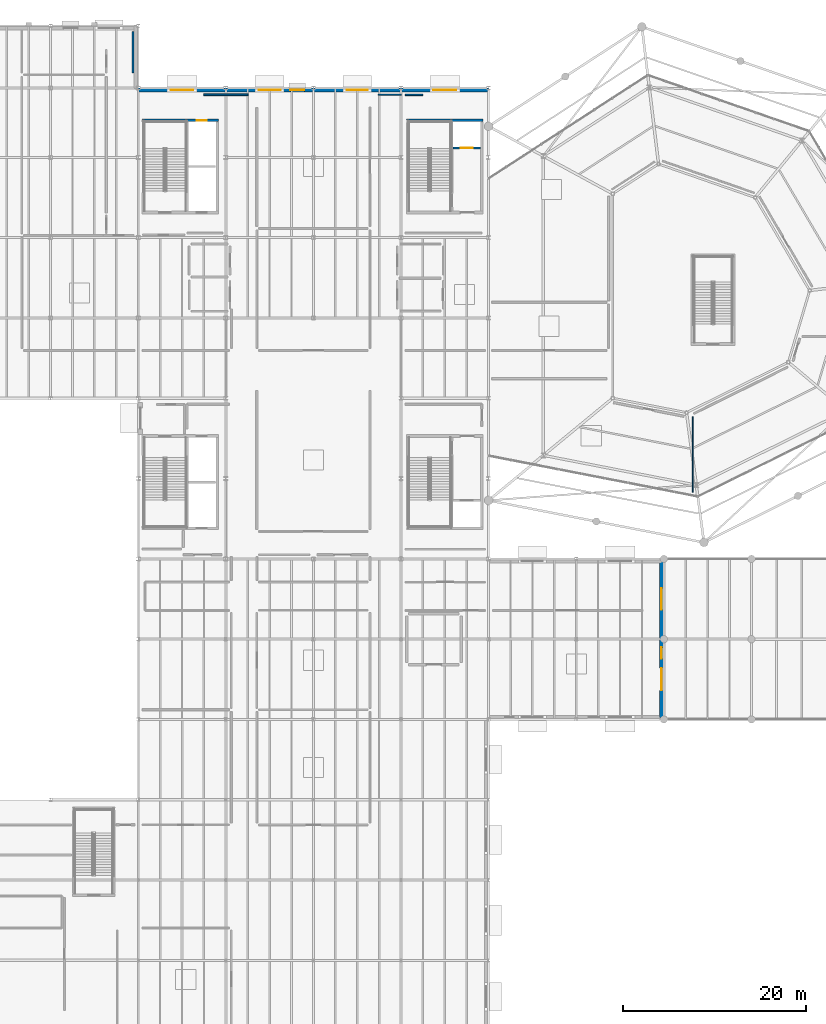
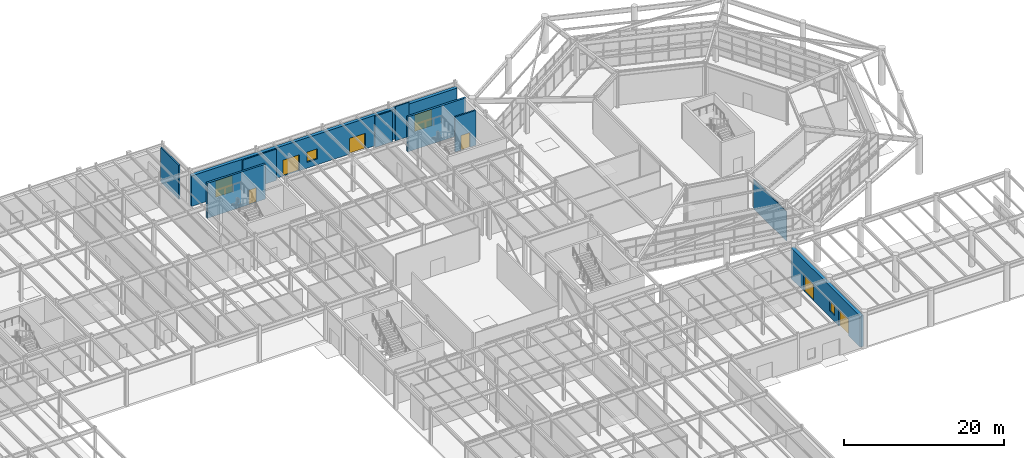
# One storey, part 52 of 70: 10 walls, 8 doors, 2 windows, 10 openings.
"""IFC4 building model written with IfcOpenShell, lengths in metres."""

from ifc_helpers import new_model, si_unit, direction, frame, frame_2d, origin, place, context, subcontext, project, spatial, rectangle, extrude, material, layer, layer_set, type_object, element, fill, save


model = new_model("IFC4")

# Units and contexts
model_context = context("Model", 3, precision=1e-05, world=origin(), true_north=direction((0.0, 1.0)))
body_context = subcontext(model_context, "Body", "Model", "MODEL_VIEW")
ifc_project = project(units=[si_unit("LENGTHUNIT", "METRE"), si_unit("AREAUNIT", "SQUARE_METRE"), si_unit("VOLUMEUNIT", "CUBIC_METRE"), si_unit("PLANEANGLEUNIT", "RADIAN"), si_unit("MASSUNIT", "GRAM", prefix="KILO")], contexts=[model_context])

# Site, building, storey
site_placement = place(None, origin())
site = spatial("IfcSite", under=ifc_project, at=site_placement, CompositionType="ELEMENT")
building_placement = place(site_placement, origin())
building = spatial("IfcBuilding", under=site, at=building_placement, Name="Sarnbrook Museum", CompositionType="ELEMENT")
storey_placement = place(building_placement, origin())
storey = spatial("IfcBuildingStorey", under=building, at=storey_placement, Name="L00", CompositionType="ELEMENT", Elevation=0.0)

# Wall
ifc_material_1 = material(Name="Concrete N50 (AS 3600, f'c = 50 MPa)", Category="concrete")
ifc_layer_1 = layer(ifc_material_1, 0.300048828125)
ifc_layer_set_1 = layer_set([ifc_layer_1], Name="Concrete N50 (AS 3600, f'c = 50 MPa)")
wall_type_1 = type_object("IfcWallType", Name="CoreWall_CWRC", PredefinedType="SHEAR", material=ifc_layer_set_1)
wall_1_placement = place(storey_placement, frame((118.60009765625, 104.85009765625, 0.0), z_axis=(0.0, 0.0, 1.0), x_axis=(-1.0, 0.0, 0.0)))
element("IfcWall", 1, at=wall_1_placement, inside=storey, type_object=wall_type_1, Name="Core C2 Shear Wall N L00", PredefinedType="SHEAR", context=body_context, shape_type="SweptSolid", body=[
    extrude(rectangle(XDim=8.400146484375, YDim=0.300048828125, at=frame_2d((4.2001953125, 0.0))), origin(), (0.0, 0.0, 1.0), 5.344970703125),
])

# Wall, opening, door
wall_2_placement = place(storey_placement, frame((89.60009765625, 104.85009765625, 0.0), z_axis=(0.0, 0.0, 1.0), x_axis=(-1.0, 0.0, 0.0)))
wall_2 = element("IfcWall", 2, at=wall_2_placement, inside=storey, type_object=wall_type_1, Name="Core C4 Shear Wall N L00", PredefinedType="SHEAR", context=body_context, shape_type="SweptSolid", body=[
    extrude(rectangle(XDim=8.400146484375, YDim=0.300048828125, at=frame_2d((4.2001953125, 0.0))), origin(), (0.0, 0.0, 1.0), 5.344970703125),
])
opening_1_placement = place(wall_2_placement, frame((1.300048828125, 0.0, 0.0)))
opening_1 = element("IfcOpeningElement", 3, at=opening_1_placement, cuts=wall_2, Name="Opening LD-PL4-L00", PredefinedType="OPENING", context=body_context, shape_type="SweptSolid", body=[
    extrude(rectangle(XDim=1.10009765625, YDim=2.199951171875, at=frame_2d((0.550048828125, 1.10009765625))), frame((0.0, 0.16015625, 0.0), z_axis=(0.0, -1.0, 0.0), x_axis=(1.0, 0.0, 0.0)), (0.0, 0.0, 1.0), 0.320068359375),
])
ifc_material_2 = material(Name="Brushed Stainless Steel Grade 316", Category="steel")
door_type_1 = type_object("IfcDoorType", Name="LiftDoor_Pax110", OperationType="DOUBLE_DOOR_SLIDING", PredefinedType="DOOR", material=ifc_material_2)
door_1_placement = place(opening_1_placement, origin())
door_1 = element("IfcDoor", 4, at=door_1_placement, inside=storey, type_object=door_type_1, Name="Lift Landing Sliding Door LD-PL4-L00", OperationType="DOUBLE_DOOR_SLIDING", OverallHeight=2.199951171875, OverallWidth=1.10009765625, PredefinedType="DOOR", context=body_context, shape_type="SweptSolid", body=[
    extrude(rectangle(XDim=1.10009765625, YDim=2.199951171875, at=frame_2d((0.550048828125, 1.10009765625))), frame((0.0, 0.02490234375, 0.0), z_axis=(0.0, -1.0, 0.0), x_axis=(1.0, 0.0, 0.0)), (0.0, 0.0, 1.0), 0.050048828125),
])
fill(opening_1, door_1)

# Walls
ifc_material_3 = material(Name="Fire-Rated Acoustic Gypsum Plasterboard")
ifc_layer_2 = layer(ifc_material_3, 0.1201171875)
ifc_layer_set_2 = layer_set([ifc_layer_2], Name="Fire-Rated Acoustic Gypsum Plasterboard")
wall_type_2 = type_object("IfcWallType", Name="PartWall_P120", PredefinedType="PARTITIONING", material=ifc_layer_set_2)
wall_3_placement = place(storey_placement, frame((141.562744140625, 72.364013671875, 0.0), z_axis=(0.0, 0.0, 1.0), x_axis=(0.0, -1.0, 0.0)))
element("IfcWall", 5, at=wall_3_placement, inside=storey, type_object=wall_type_2, Name="Interior Partition Wall L00-0279", PredefinedType="PARTITIONING", context=body_context, shape_type="SweptSolid", body=[
    extrude(rectangle(XDim=8.24658203125, YDim=0.1201171875, at=frame_2d((4.123291015625, 0.0))), origin(), (0.0, 0.0, 1.0), 4.510009765625),
])
ifc_layer_3 = layer(ifc_material_3, 0.135009765625)
ifc_layer_set_3 = layer_set([ifc_layer_3], Name="Fire-Rated Acoustic Gypsum Plasterboard")
wall_type_3 = type_object("IfcWallType", Name="PartWall_P135", PredefinedType="PARTITIONING", material=ifc_layer_set_3)
wall_4_placement = place(storey_placement, frame((109.6298828125, 107.64990234375, 0.0), z_axis=(0.0, 0.0, 1.0), x_axis=(-1.0, 0.0, 0.0)))
element("IfcWall", 6, at=wall_4_placement, inside=storey, type_object=wall_type_3, Name="Interior Partition Wall L00-0208", PredefinedType="PARTITIONING", context=body_context, shape_type="SweptSolid", body=[
    extrude(rectangle(XDim=2.533203125, YDim=0.135009765625, at=frame_2d((1.2666015625, 0.0))), origin(), (0.0, 0.0, 1.0), 4.787109375),
])
ifc_layer_4 = layer(ifc_material_3, 0.14990234375)
ifc_layer_set_4 = layer_set([ifc_layer_4], Name="Fire-Rated Acoustic Gypsum Plasterboard")
wall_type_4 = type_object("IfcWallType", Name="PartWall_P150", PredefinedType="PARTITIONING", material=ifc_layer_set_4)
wall_5_placement = place(storey_placement, frame((112.00341796875, 107.64990234375, 0.0), z_axis=(0.0, 0.0, 1.0), x_axis=(-1.0, 0.0, 0.0)))
element("IfcWall", 7, at=wall_5_placement, inside=storey, type_object=wall_type_4, Name="Interior Partition Wall L00-0235", PredefinedType="PARTITIONING", context=body_context, shape_type="SweptSolid", body=[
    extrude(rectangle(XDim=1.953369140625, YDim=0.14990234375, at=frame_2d((0.9765625, 0.0))), origin(), (0.0, 0.0, 1.0), 5.22998046875),
])
ifc_layer_5 = layer(ifc_material_3, 0.195068359375)
ifc_layer_set_5 = layer_set([ifc_layer_5], Name="Fire-Rated Acoustic Gypsum Plasterboard")
wall_type_5 = type_object("IfcWallType", Name="PartWall_P195", PredefinedType="PARTITIONING", material=ifc_layer_set_5)
wall_6_placement = place(storey_placement, frame((80.239990234375, 110.050048828125, 0.0), z_axis=(0.0, 0.0, 1.0), x_axis=(0.0, 1.0, 0.0)))
element("IfcWall", 8, at=wall_6_placement, inside=storey, type_object=wall_type_5, Name="Interior Partition Wall L00-0155", PredefinedType="PARTITIONING", context=body_context, shape_type="SweptSolid", body=[
    extrude(rectangle(XDim=4.530029296875, YDim=0.195068359375, at=frame_2d((2.26513671875, 0.0))), origin(), (0.0, 0.0, 1.0), 5.22998046875),
])
wall_7_placement = place(storey_placement, frame((92.853515625, 107.64990234375, 0.0), z_axis=(0.0, 0.0, 1.0), x_axis=(-1.0, 0.0, 0.0)))
element("IfcWall", 9, at=wall_7_placement, inside=storey, type_object=wall_type_5, Name="Interior Partition Wall L00-0211", PredefinedType="PARTITIONING", context=body_context, shape_type="SweptSolid", body=[
    extrude(rectangle(XDim=4.8818359375, YDim=0.195068359375, at=frame_2d((2.44091796875, 0.0))), origin(), (0.0, 0.0, 1.0), 4.787109375),
])

# Wall, opening, door
ifc_material_4 = material(Name="Concrete N40 (AS 3600, f'c = 40 MPa)", Category="concrete")
ifc_layer_6 = layer(ifc_material_4, 0.239990234375)
ifc_layer_set_6 = layer_set([ifc_layer_6], Name="Concrete N40 (AS 3600, f'c = 40 MPa)")
wall_type_6 = type_object("IfcWallType", Name="ShaftWall_SWRC", PredefinedType="SOLIDWALL", material=ifc_layer_set_6)
wall_8_placement = place(storey_placement, frame((115.320068359375, 101.820068359375, 0.0), z_axis=(0.0, 0.0, 1.0), x_axis=(1.0, 0.0, 0.0)))
wall_8 = element("IfcWall", 10, at=wall_8_placement, inside=storey, type_object=wall_type_6, Name="Lift EL2 Shaft Front Wall L00", PredefinedType="SOLIDWALL", context=body_context, shape_type="SweptSolid", body=[
    extrude(rectangle(XDim=2.969970703125, YDim=0.239990234375, at=frame_2d((1.48486328125, 0.0))), origin(), (0.0, 0.0, 1.0), 5.344970703125),
])
opening_2_placement = place(wall_8_placement, frame((0.8349609375, 0.0, 0.0)))
opening_2 = element("IfcOpeningElement", 11, at=opening_2_placement, cuts=wall_8, Name="Opening LD-EL2-L00", PredefinedType="OPENING", context=body_context, shape_type="SweptSolid", body=[
    extrude(rectangle(XDim=1.300048828125, YDim=2.25, at=frame_2d((0.64990234375, 1.125))), frame((0.0, 0.1298828125, 0.0), z_axis=(0.0, -1.0, 0.0), x_axis=(1.0, 0.0, 0.0)), (0.0, 0.0, 1.0), 0.260009765625),
])
door_type_2 = type_object("IfcDoorType", Name="LiftDoor_FF130", OperationType="DOUBLE_DOOR_SLIDING", PredefinedType="DOOR", material=ifc_material_2)
door_2_placement = place(opening_2_placement, origin())
door_2 = element("IfcDoor", 12, at=door_2_placement, inside=storey, type_object=door_type_2, Name="Lift Landing Sliding Door LD-EL2-L00", OperationType="DOUBLE_DOOR_SLIDING", OverallHeight=2.25, OverallWidth=1.300048828125, PredefinedType="DOOR", context=body_context, shape_type="SweptSolid", body=[
    extrude(rectangle(XDim=1.300048828125, YDim=2.25, at=frame_2d((0.64990234375, 1.125))), frame((0.0, 0.02490234375, 0.0), z_axis=(0.0, -1.0, 0.0), x_axis=(1.0, 0.0, 0.0)), (0.0, 0.0, 1.0), 0.050048828125),
])
fill(opening_2, door_2)

# Wall, openings, doors, window
ifc_material_5 = material(Name="Barrabool Sandstone Ashlar Cladding", Category="masonry")
ifc_layer_7 = layer(ifc_material_5, 0.4599609375)
ifc_layer_set_7 = layer_set([ifc_layer_7], Name="Barrabool Sandstone Ashlar Cladding")
wall_type_7 = type_object("IfcWallType", Name="Wall_SandstoneExt460", PredefinedType="SOLIDWALL", material=ifc_layer_set_7)
wall_9_placement = place(storey_placement, frame((138.169921875, 39.43603515625, 0.0), z_axis=(0.0, 0.0, 1.0), x_axis=(0.0, 1.0, 0.0)))
wall_9 = element("IfcWall", 13, at=wall_9_placement, inside=storey, type_object=wall_type_7, Name="Classical Sandstone Facade Wall L00-04", PredefinedType="SOLIDWALL", context=body_context, shape_type="SweptSolid", body=[
    extrude(rectangle(XDim=17.364013671875, YDim=0.4599609375, at=frame_2d((8.68212890625, 0.0))), origin(), (0.0, 0.0, 1.0), 4.722900390625),
])
opening_3_placement = place(wall_9_placement, frame((2.93896484375, 0.0, 0.0)))
opening_3 = element("IfcOpeningElement", 14, at=opening_3_placement, cuts=wall_9, Name="Opening ED13", PredefinedType="OPENING", context=body_context, shape_type="SweptSolid", body=[
    extrude(rectangle(XDim=2.449951171875, YDim=2.5, at=frame_2d((1.22509765625, 1.25))), frame((0.0, 0.239990234375, 0.0), z_axis=(0.0, -1.0, 0.0), x_axis=(1.0, 0.0, 0.0)), (0.0, 0.0, 1.0), 0.47998046875),
])
opening_4_placement = place(wall_9_placement, frame((11.763916015625, 0.0, 0.0)))
opening_4 = element("IfcOpeningElement", 15, at=opening_4_placement, cuts=wall_9, Name="Opening ED14", PredefinedType="OPENING", context=body_context, shape_type="SweptSolid", body=[
    extrude(rectangle(XDim=2.39990234375, YDim=2.449951171875, at=frame_2d((1.199951171875, 1.22509765625))), frame((0.0, 0.239990234375, 0.0), z_axis=(0.0, -1.0, 0.0), x_axis=(1.0, 0.0, 0.0)), (0.0, 0.0, 1.0), 0.47998046875),
])
opening_5_placement = place(wall_9_placement, frame((6.39990234375, 0.0, 0.89990234375)))
opening_5 = element("IfcOpeningElement", 16, at=opening_5_placement, cuts=wall_9, Name="Opening WT-03", PredefinedType="OPENING", context=body_context, shape_type="SweptSolid", body=[
    extrude(rectangle(XDim=1.25, YDim=1.550048828125, at=frame_2d((0.625, 0.77490234375))), frame((0.0, 0.239990234375, 0.0), z_axis=(0.0, -1.0, 0.0), x_axis=(1.0, 0.0, 0.0)), (0.0, 0.0, 1.0), 0.47998046875),
])
ifc_material_6 = material(Name="Thermally Broken Anodised Aluminium 6063-T6", Category="aluminium")
door_type_3 = type_object("IfcDoorType", Name="DoorType_EDT1", OperationType="DOUBLE_DOOR_SINGLE_SWING", PredefinedType="DOOR", material=ifc_material_6)
door_3_placement = place(opening_3_placement, frame((2.449951171875, 0.0, 0.0), z_axis=(0.0, 0.0, 1.0), x_axis=(-1.0, 0.0, 0.0)))
door_3 = element("IfcDoor", 17, at=door_3_placement, inside=storey, type_object=door_type_3, Name="East Portico Pedestrian Exit Door ED13", OperationType="DOUBLE_DOOR_SINGLE_SWING", OverallHeight=2.5, OverallWidth=2.449951171875, PredefinedType="DOOR", context=body_context, shape_type="SweptSolid", body=[
    extrude(rectangle(XDim=2.449951171875, YDim=2.5, at=frame_2d((1.22509765625, 1.25))), frame((0.0, 0.02490234375, 0.0), z_axis=(0.0, -1.0, 0.0), x_axis=(1.0, 0.0, 0.0)), (0.0, 0.0, 1.0), 0.050048828125),
])
fill(opening_3, door_3)
door_type_4 = type_object("IfcDoorType", Name="DoorType_EDT2", OperationType="DOUBLE_DOOR_SINGLE_SWING", PredefinedType="DOOR", material=ifc_material_6)
door_4_placement = place(opening_4_placement, frame((2.39990234375, 0.0, 0.0), z_axis=(0.0, 0.0, 1.0), x_axis=(-1.0, 0.0, 0.0)))
door_4 = element("IfcDoor", 18, at=door_4_placement, inside=storey, type_object=door_type_4, Name="East Portico Pedestrian Exit Door ED14", OperationType="DOUBLE_DOOR_SINGLE_SWING", OverallHeight=2.449951171875, OverallWidth=2.39990234375, PredefinedType="DOOR", context=body_context, shape_type="SweptSolid", body=[
    extrude(rectangle(XDim=2.39990234375, YDim=2.449951171875, at=frame_2d((1.199951171875, 1.22509765625))), frame((0.0, 0.02490234375, 0.0), z_axis=(0.0, -1.0, 0.0), x_axis=(1.0, 0.0, 0.0)), (0.0, 0.0, 1.0), 0.050048828125),
])
fill(opening_4, door_4)
ifc_material_7 = material(Name="Double-Glazed Low-Iron Laminated Safety Glass", Category="glass")
window_type_1 = type_object("IfcWindowType", Name="Window_Classical_WT03", PartitioningType="SINGLE_PANEL", PredefinedType="WINDOW", material=ifc_material_7)
window_1_placement = place(opening_5_placement, origin())
window_1 = element("IfcWindow", 19, at=window_1_placement, inside=storey, type_object=window_type_1, Name="Classical Bronze Casement Window WIN:L00:0003", OverallHeight=1.550048828125, OverallWidth=1.25, PartitioningType="SINGLE_PANEL", PredefinedType="WINDOW", context=body_context, shape_type="SweptSolid", body=[
    extrude(rectangle(XDim=1.25, YDim=1.550048828125, at=frame_2d((0.625, 0.77490234375))), frame((0.0, 0.030029296875, 0.0), z_axis=(0.0, -1.0, 0.0), x_axis=(1.0, 0.0, 0.0)), (0.0, 0.0, 1.0), 0.06005859375),
])
fill(opening_5, window_1)

wall_10_placement = place(storey_placement, frame((119.199951171875, 108.169921875, 0.0), z_axis=(0.0, 0.0, 1.0), x_axis=(-1.0, 0.0, 0.0)))
wall_10 = element("IfcWall", 20, at=wall_10_placement, inside=storey, type_object=wall_type_7, Name="Classical Sandstone Facade Wall L00-06", PredefinedType="SOLIDWALL", context=body_context, shape_type="SweptSolid", body=[
    extrude(rectangle(XDim=38.39990234375, YDim=0.4599609375, at=frame_2d((19.199951171875, 0.0))), origin(), (0.0, 0.0, 1.0), 4.653076171875),
])
opening_6_placement = place(wall_10_placement, frame((32.375, 0.0, 0.0)))
opening_6 = element("IfcOpeningElement", 21, at=opening_6_placement, cuts=wall_10, Name="Opening ED17", PredefinedType="OPENING", context=body_context, shape_type="SweptSolid", body=[
    extrude(rectangle(XDim=2.449951171875, YDim=2.5, at=frame_2d((1.22509765625, 1.25))), frame((0.0, 0.239990234375, 0.0), z_axis=(0.0, -1.0, 0.0), x_axis=(1.0, 0.0, 0.0)), (0.0, 0.0, 1.0), 0.47998046875),
])
opening_7_placement = place(wall_10_placement, frame((22.800048828125, 0.0, 0.0)))
opening_7 = element("IfcOpeningElement", 22, at=opening_7_placement, cuts=wall_10, Name="Opening ED18", PredefinedType="OPENING", context=body_context, shape_type="SweptSolid", body=[
    extrude(rectangle(XDim=2.39990234375, YDim=2.449951171875, at=frame_2d((1.199951171875, 1.22509765625))), frame((0.0, 0.239990234375, 0.0), z_axis=(0.0, -1.0, 0.0), x_axis=(1.0, 0.0, 0.0)), (0.0, 0.0, 1.0), 0.47998046875),
])
opening_8_placement = place(wall_10_placement, frame((13.25, 0.0, 0.0)))
opening_8 = element("IfcOpeningElement", 23, at=opening_8_placement, cuts=wall_10, Name="Opening ED19", PredefinedType="OPENING", context=body_context, shape_type="SweptSolid", body=[
    extrude(rectangle(XDim=2.300048828125, YDim=2.39990234375, at=frame_2d((1.14990234375, 1.199951171875))), frame((0.0, 0.239990234375, 0.0), z_axis=(0.0, -1.0, 0.0), x_axis=(1.0, 0.0, 0.0)), (0.0, 0.0, 1.0), 0.47998046875),
])
opening_9_placement = place(wall_10_placement, frame((3.550048828125, 0.0, 0.0)))
opening_9 = element("IfcOpeningElement", 24, at=opening_9_placement, cuts=wall_10, Name="Opening ED20", PredefinedType="OPENING", context=body_context, shape_type="SweptSolid", body=[
    extrude(rectangle(XDim=2.5, YDim=2.550048828125, at=frame_2d((1.25, 1.27490234375))), frame((0.0, 0.239990234375, 0.0), z_axis=(0.0, -1.0, 0.0), x_axis=(1.0, 0.0, 0.0)), (0.0, 0.0, 1.0), 0.47998046875),
])
opening_10_placement = place(wall_10_placement, frame((20.199951171875, 0.0, 0.89990234375)))
opening_10 = element("IfcOpeningElement", 25, at=opening_10_placement, cuts=wall_10, Name="Opening WT-04", PredefinedType="OPENING", context=body_context, shape_type="SweptSolid", body=[
    extrude(rectangle(XDim=1.52001953125, YDim=1.550048828125, at=frame_2d((0.760009765625, 0.77490234375))), frame((0.0, 0.239990234375, 0.0), z_axis=(0.0, -1.0, 0.0), x_axis=(1.0, 0.0, 0.0)), (0.0, 0.0, 1.0), 0.47998046875),
])
door_5_placement = place(opening_6_placement, frame((2.449951171875, 0.0, 0.0), z_axis=(0.0, 0.0, 1.0), x_axis=(-1.0, 0.0, 0.0)))
door_5 = element("IfcDoor", 26, at=door_5_placement, inside=storey, type_object=door_type_3, Name="North Terrace Pedestrian Exit Door ED17", OperationType="DOUBLE_DOOR_SINGLE_SWING", OverallHeight=2.5, OverallWidth=2.449951171875, PredefinedType="DOOR", context=body_context, shape_type="SweptSolid", body=[
    extrude(rectangle(XDim=2.449951171875, YDim=2.5, at=frame_2d((1.22509765625, 1.25))), frame((0.0, 0.02490234375, 0.0), z_axis=(0.0, -1.0, 0.0), x_axis=(1.0, 0.0, 0.0)), (0.0, 0.0, 1.0), 0.050048828125),
])
fill(opening_6, door_5)
door_6_placement = place(opening_7_placement, frame((2.39990234375, 0.0, 0.0), z_axis=(0.0, 0.0, 1.0), x_axis=(-1.0, 0.0, 0.0)))
door_6 = element("IfcDoor", 27, at=door_6_placement, inside=storey, type_object=door_type_4, Name="North Terrace Pedestrian Exit Door ED18", OperationType="DOUBLE_DOOR_SINGLE_SWING", OverallHeight=2.449951171875, OverallWidth=2.39990234375, PredefinedType="DOOR", context=body_context, shape_type="SweptSolid", body=[
    extrude(rectangle(XDim=2.39990234375, YDim=2.449951171875, at=frame_2d((1.199951171875, 1.22509765625))), frame((0.0, 0.02490234375, 0.0), z_axis=(0.0, -1.0, 0.0), x_axis=(1.0, 0.0, 0.0)), (0.0, 0.0, 1.0), 0.050048828125),
])
fill(opening_7, door_6)
door_type_5 = type_object("IfcDoorType", Name="DoorType_EDT3", OperationType="DOUBLE_DOOR_SINGLE_SWING", PredefinedType="DOOR", material=ifc_material_2)
door_7_placement = place(opening_8_placement, frame((2.300048828125, 0.0, 0.0), z_axis=(0.0, 0.0, 1.0), x_axis=(-1.0, 0.0, 0.0)))
door_7 = element("IfcDoor", 28, at=door_7_placement, inside=storey, type_object=door_type_5, Name="North Terrace Pedestrian Exit Door ED19", OperationType="DOUBLE_DOOR_SINGLE_SWING", OverallHeight=2.39990234375, OverallWidth=2.300048828125, PredefinedType="DOOR", context=body_context, shape_type="SweptSolid", body=[
    extrude(rectangle(XDim=2.300048828125, YDim=2.39990234375, at=frame_2d((1.14990234375, 1.199951171875))), frame((0.0, 0.02490234375, 0.0), z_axis=(0.0, -1.0, 0.0), x_axis=(1.0, 0.0, 0.0)), (0.0, 0.0, 1.0), 0.050048828125),
])
fill(opening_8, door_7)
door_type_6 = type_object("IfcDoorType", Name="DoorType_EDT4", OperationType="DOUBLE_DOOR_SINGLE_SWING", PredefinedType="DOOR", material=ifc_material_6)
door_8_placement = place(opening_9_placement, frame((2.5, 0.0, 0.0), z_axis=(0.0, 0.0, 1.0), x_axis=(-1.0, 0.0, 0.0)))
door_8 = element("IfcDoor", 29, at=door_8_placement, inside=storey, type_object=door_type_6, Name="North Terrace Pedestrian Exit Door ED20", OperationType="DOUBLE_DOOR_SINGLE_SWING", OverallHeight=2.550048828125, OverallWidth=2.5, PredefinedType="DOOR", context=body_context, shape_type="SweptSolid", body=[
    extrude(rectangle(XDim=2.5, YDim=2.550048828125, at=frame_2d((1.25, 1.27490234375))), frame((0.0, 0.02490234375, 0.0), z_axis=(0.0, -1.0, 0.0), x_axis=(1.0, 0.0, 0.0)), (0.0, 0.0, 1.0), 0.050048828125),
])
fill(opening_9, door_8)
window_type_2 = type_object("IfcWindowType", Name="Window_Classical_WT04", PartitioningType="SINGLE_PANEL", PredefinedType="WINDOW", material=ifc_material_7)
window_2_placement = place(opening_10_placement, origin())
window_2 = element("IfcWindow", 30, at=window_2_placement, inside=storey, type_object=window_type_2, Name="Classical Bronze Casement Window WIN:L00:0004", OverallHeight=1.550048828125, OverallWidth=1.52001953125, PartitioningType="SINGLE_PANEL", PredefinedType="WINDOW", context=body_context, shape_type="SweptSolid", body=[
    extrude(rectangle(XDim=1.52001953125, YDim=1.550048828125, at=frame_2d((0.760009765625, 0.77490234375))), frame((0.0, 0.030029296875, 0.0), z_axis=(0.0, -1.0, 0.0), x_axis=(1.0, 0.0, 0.0)), (0.0, 0.0, 1.0), 0.06005859375),
])
fill(opening_10, window_2)

save(model, "model.ifc")
